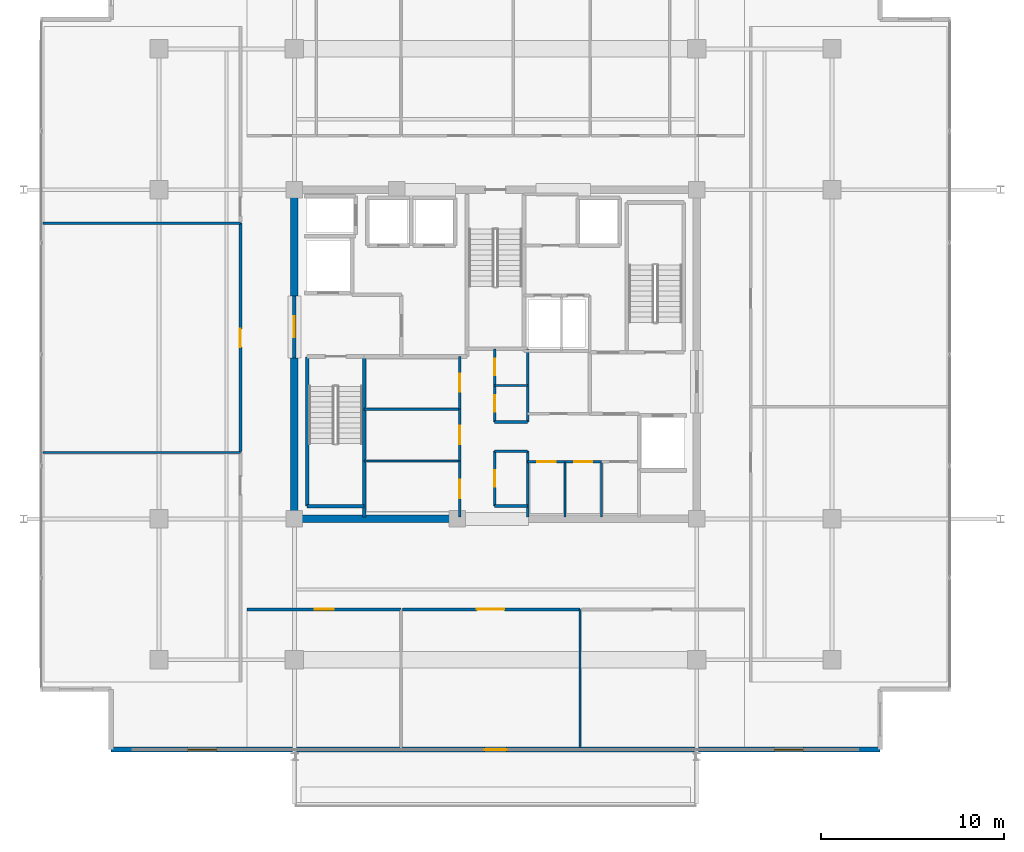
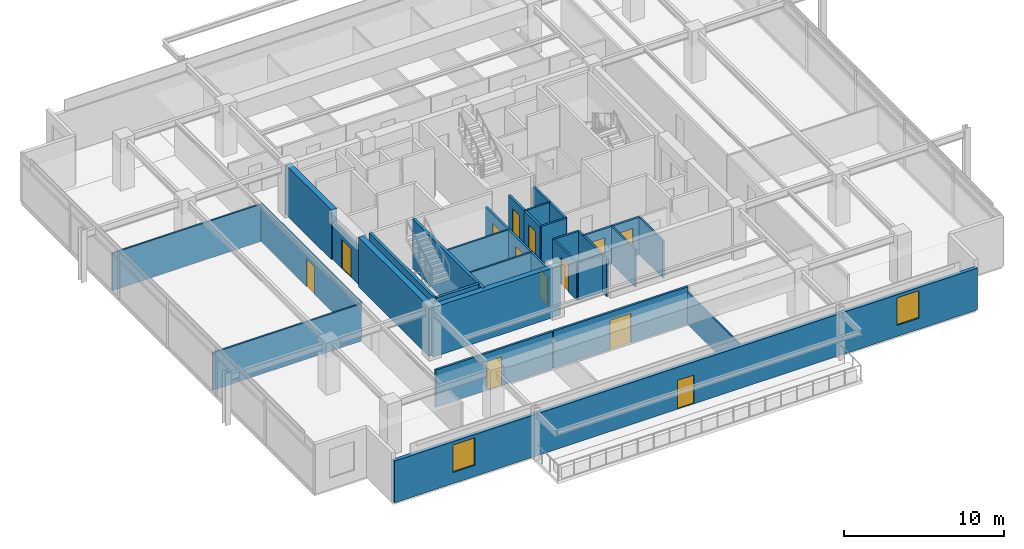
# One storey, part 13 of 20: 32 walls, 13 doors, 2 windows, 15 openings.
"""IFC4 building model written with IfcOpenShell, lengths in metres."""

from ifc_helpers import new_model, si_unit, direction, frame, frame_2d, origin, place, context, subcontext, project, spatial, rectangle, extrude, material, layer, layer_set, type_object, element, fill, save


model = new_model("IFC4")

# Units and contexts
model_context = context("Model", 3, precision=1e-05, world=origin(), true_north=direction((0.0, 1.0)))
body_context = subcontext(model_context, "Body", "Model", "MODEL_VIEW")
ifc_project = project(units=[si_unit("LENGTHUNIT", "METRE"), si_unit("AREAUNIT", "SQUARE_METRE"), si_unit("VOLUMEUNIT", "CUBIC_METRE"), si_unit("PLANEANGLEUNIT", "RADIAN"), si_unit("MASSUNIT", "GRAM", prefix="KILO")], contexts=[model_context])

# Site, building, storey
site_placement = place(None, origin())
site = spatial("IfcSite", under=ifc_project, at=site_placement, CompositionType="ELEMENT")
building_placement = place(site_placement, origin())
building = spatial("IfcBuilding", under=site, at=building_placement, Name="Kovane Verandah Tower", CompositionType="ELEMENT")
storey_placement = place(building_placement, frame((0.0, 0.0, 318.800048828125)))
storey = spatial("IfcBuildingStorey", under=building, at=storey_placement, Name="L74", CompositionType="ELEMENT", Elevation=318.800048828125)

# Walls
ifc_material_1 = material(Name="Fire-Rated Gypsum Stud Partition", Category="gypsum")
ifc_layer_1 = layer(ifc_material_1, 0.14990234375)
ifc_layer_set_1 = layer_set([ifc_layer_1], Name="Fire-Rated Gypsum Stud Partition")
wall_type_1 = type_object("IfcWallType", Name="WL-COR-150", PredefinedType="PARTITIONING", material=ifc_layer_set_1)
for number, where, z_axis, x_axis, name in (
    (1, (39.949951171875, 19.199951171875, 0.0), (0.0, 0.0, 1.0), (1.0, 0.0, 0.0), "L74 Central Core Strip South Wall"),
    (2, (39.949951171875, 22.199951171875, 0.0), (0.0, 0.0, 1.0), (1.0, 0.0, 0.0), "L74 Core Cross-Passage South Wall"),
    (3, (39.949951171875, 23.800048828125, 0.0), (0.0, 0.0, 1.0), (1.0, 0.0, 0.0), "L74 Core Cross-Passage North Wall"),
):
    element("IfcWall", number, at=place(storey_placement, frame(where, z_axis=z_axis, x_axis=x_axis)), inside=storey, type_object=wall_type_1, Name=name, PredefinedType="PARTITIONING", context=body_context, shape_type="SweptSolid", body=[
        extrude(rectangle(XDim=1.81005859375, YDim=0.14990234375, at=frame_2d((0.905029296875, 0.0))), origin(), (0.0, 0.0, 1.0), 2.849853515625),
    ])
wall_1_placement = place(storey_placement, frame((41.760009765625, 18.60009765625, 0.0), z_axis=(0.0, 0.0, 1.0), x_axis=(0.0, 1.0, 0.0)))
element("IfcWall", 4, at=wall_1_placement, inside=storey, type_object=wall_type_1, Name="L74 Central Core Strip Lower East Wall", PredefinedType="PARTITIONING", context=body_context, shape_type="SweptSolid", body=[
    extrude(rectangle(XDim=3.599853515625, YDim=0.14990234375, at=frame_2d((1.7998046875, 0.0))), origin(), (0.0, 0.0, 1.0), 2.849853515625),
])
wall_2_placement = place(storey_placement, frame((41.760009765625, 23.800048828125, 0.0), z_axis=(0.0, 0.0, 1.0), x_axis=(0.0, 1.0, 0.0)))
element("IfcWall", 5, at=wall_2_placement, inside=storey, type_object=wall_type_1, Name="L74 Central Core Strip Upper East Wall", PredefinedType="PARTITIONING", context=body_context, shape_type="SweptSolid", body=[
    extrude(rectangle(XDim=4.0, YDim=0.14990234375, at=frame_2d((2.0, 0.0))), origin(), (0.0, 0.0, 1.0), 2.849853515625),
])

# Wall, opening, door
wall_3_placement = place(storey_placement, frame((39.949951171875, 19.199951171875, 0.0), z_axis=(0.0, 0.0, 1.0), x_axis=(0.0, 1.0, 0.0)))
wall_3 = element("IfcWall", 6, at=wall_3_placement, inside=storey, type_object=wall_type_1, Name="L74 Male Toilet Partition", PredefinedType="PARTITIONING", context=body_context, shape_type="SweptSolid", body=[
    extrude(rectangle(XDim=3.0, YDim=0.14990234375, at=frame_2d((1.5, 0.0))), origin(), (0.0, 0.0, 1.0), 2.849853515625),
])
opening_1_placement = place(wall_3_placement, frame((1.050048828125, 0.0, 0.0)))
opening_1 = element("IfcOpeningElement", 7, at=opening_1_placement, cuts=wall_3, Name="Opening DR-L74-034", PredefinedType="OPENING", context=body_context, shape_type="SweptSolid", body=[
    extrude(rectangle(XDim=0.89990234375, YDim=2.10009765625, at=frame_2d((0.449951171875, 1.050048828125))), frame((0.0, 0.074951171875, 0.0), z_axis=(0.0, -1.0, 0.0), x_axis=(1.0, 0.0, 0.0)), (0.0, 0.0, 1.0), 0.14990234375),
])
ifc_material_2 = material(Name="Moisture-Resistant Laminate Washroom Door", Category="wood")
door_type_1 = type_object("IfcDoorType", Name="DR-WC-900", OperationType="SINGLE_SWING_LEFT", PredefinedType="DOOR", material=ifc_material_2)
door_1_placement = place(opening_1_placement, origin())
door_1 = element("IfcDoor", 8, at=door_1_placement, inside=storey, type_object=door_type_1, Name="L74 Male Toilet Door", OperationType="SINGLE_SWING_LEFT", OverallHeight=2.10009765625, OverallWidth=0.89990234375, PredefinedType="DOOR", context=body_context, shape_type="SweptSolid", body=[
    extrude(rectangle(XDim=0.89990234375, YDim=2.10009765625, at=frame_2d((0.449951171875, 1.050048828125))), frame((0.0, 0.02490234375, 0.0), z_axis=(0.0, -1.0, 0.0), x_axis=(1.0, 0.0, 0.0)), (0.0, 0.0, 1.0), 0.050048828125),
])
fill(opening_1, door_1)

wall_4_placement = place(storey_placement, frame((39.949951171875, 23.800048828125, 0.0), z_axis=(0.0, 0.0, 1.0), x_axis=(0.0, 1.0, 0.0)))
wall_4 = element("IfcWall", 9, at=wall_4_placement, inside=storey, type_object=wall_type_1, Name="L74 Female Toilet Partition", PredefinedType="PARTITIONING", context=body_context, shape_type="SweptSolid", body=[
    extrude(rectangle(XDim=2.0, YDim=0.14990234375, at=frame_2d((1.0, 0.0))), origin(), (0.0, 0.0, 1.0), 2.849853515625),
])
opening_2_placement = place(wall_4_placement, frame((0.550048828125, 0.0, 0.0)))
opening_2 = element("IfcOpeningElement", 10, at=opening_2_placement, cuts=wall_4, Name="Opening DR-L74-033", PredefinedType="OPENING", context=body_context, shape_type="SweptSolid", body=[
    extrude(rectangle(XDim=0.89990234375, YDim=2.10009765625, at=frame_2d((0.449951171875, 1.050048828125))), frame((0.0, 0.074951171875, 0.0), z_axis=(0.0, -1.0, 0.0), x_axis=(1.0, 0.0, 0.0)), (0.0, 0.0, 1.0), 0.14990234375),
])
door_2_placement = place(opening_2_placement, origin())
door_2 = element("IfcDoor", 11, at=door_2_placement, inside=storey, type_object=door_type_1, Name="L74 Female Toilet Door", OperationType="SINGLE_SWING_RIGHT", OverallHeight=2.10009765625, OverallWidth=0.89990234375, PredefinedType="DOOR", context=body_context, shape_type="SweptSolid", body=[
    extrude(rectangle(XDim=0.89990234375, YDim=2.10009765625, at=frame_2d((0.449951171875, 1.050048828125))), frame((0.0, 0.02490234375, 0.0), z_axis=(0.0, -1.0, 0.0), x_axis=(1.0, 0.0, 0.0)), (0.0, 0.0, 1.0), 0.050048828125),
])
fill(opening_2, door_2)

wall_5_placement = place(storey_placement, frame((39.949951171875, 25.800048828125, 0.0), z_axis=(0.0, 0.0, 1.0), x_axis=(0.0, 1.0, 0.0)))
wall_5 = element("IfcWall", 12, at=wall_5_placement, inside=storey, type_object=wall_type_1, Name="L74 Accessible Unisex Toilet Partition", PredefinedType="PARTITIONING", context=body_context, shape_type="SweptSolid", body=[
    extrude(rectangle(XDim=2.0, YDim=0.14990234375, at=frame_2d((1.0, 0.0))), origin(), (0.0, 0.0, 1.0), 2.849853515625),
])
opening_3_placement = place(wall_5_placement, frame((0.550048828125, 0.0, 0.0)))
opening_3 = element("IfcOpeningElement", 13, at=opening_3_placement, cuts=wall_5, Name="Opening DR-L74-032", PredefinedType="OPENING", context=body_context, shape_type="SweptSolid", body=[
    extrude(rectangle(XDim=0.89990234375, YDim=2.10009765625, at=frame_2d((0.449951171875, 1.050048828125))), frame((0.0, 0.074951171875, 0.0), z_axis=(0.0, -1.0, 0.0), x_axis=(1.0, 0.0, 0.0)), (0.0, 0.0, 1.0), 0.14990234375),
])
door_3_placement = place(opening_3_placement, origin())
door_3 = element("IfcDoor", 14, at=door_3_placement, inside=storey, type_object=door_type_1, Name="L74 Accessible Unisex Toilet Door", OperationType="SINGLE_SWING_LEFT", OverallHeight=2.10009765625, OverallWidth=0.89990234375, PredefinedType="DOOR", context=body_context, shape_type="SweptSolid", body=[
    extrude(rectangle(XDim=0.89990234375, YDim=2.10009765625, at=frame_2d((0.449951171875, 1.050048828125))), frame((0.0, 0.02490234375, 0.0), z_axis=(0.0, -1.0, 0.0), x_axis=(1.0, 0.0, 0.0)), (0.0, 0.0, 1.0), 0.050048828125),
])
fill(opening_3, door_3)

wall_6_placement = place(storey_placement, frame((38.050048828125, 18.60009765625, 0.0), z_axis=(0.0, 0.0, 1.0), x_axis=(0.0, 1.0, 0.0)))
wall_6 = element("IfcWall", 15, at=wall_6_placement, inside=storey, type_object=wall_type_1, Name="L74 Project Archive Room Partition", PredefinedType="PARTITIONING", context=body_context, shape_type="SweptSolid", body=[
    extrude(rectangle(XDim=3.059814453125, YDim=0.14990234375, at=frame_2d((1.52978515625, 0.0))), origin(), (0.0, 0.0, 1.0), 2.849853515625),
])
opening_4_placement = place(wall_6_placement, frame((1.030029296875, 0.0, 0.0)))
opening_4 = element("IfcOpeningElement", 16, at=opening_4_placement, cuts=wall_6, Name="Opening DR-L74-013", PredefinedType="OPENING", context=body_context, shape_type="SweptSolid", body=[
    extrude(rectangle(XDim=1.0, YDim=2.14990234375, at=frame_2d((0.5, 1.074951171875))), frame((0.0, 0.074951171875, 0.0), z_axis=(0.0, -1.0, 0.0), x_axis=(1.0, 0.0, 0.0)), (0.0, 0.0, 1.0), 0.14990234375),
])
ifc_material_3 = material(Name="FSC Spotted-Gum Timber Fire-Rated Office Door", Category="wood")
door_type_2 = type_object("IfcDoorType", Name="DR-OFF-1000", OperationType="SINGLE_SWING_LEFT", PredefinedType="DOOR", material=ifc_material_3)
door_4_placement = place(opening_4_placement, origin())
door_4 = element("IfcDoor", 17, at=door_4_placement, inside=storey, type_object=door_type_2, Name="L74 Project Archive Room Door", OperationType="SINGLE_SWING_RIGHT", OverallHeight=2.14990234375, OverallWidth=1.0, PredefinedType="DOOR", context=body_context, shape_type="SweptSolid", body=[
    extrude(rectangle(XDim=1.0, YDim=2.14990234375, at=frame_2d((0.5, 1.074951171875))), frame((0.0, 0.02490234375, 0.0), z_axis=(0.0, -1.0, 0.0), x_axis=(1.0, 0.0, 0.0)), (0.0, 0.0, 1.0), 0.050048828125),
])
fill(opening_4, door_4)

wall_7_placement = place(storey_placement, frame((38.050048828125, 21.659912109375, 0.0), z_axis=(0.0, 0.0, 1.0), x_axis=(0.0, 1.0, 0.0)))
wall_7 = element("IfcWall", 18, at=wall_7_placement, inside=storey, type_object=wall_type_1, Name="L74 First Aid and Wellness Room Partition", PredefinedType="PARTITIONING", context=body_context, shape_type="SweptSolid", body=[
    extrude(rectangle(XDim=2.840087890625, YDim=0.14990234375, at=frame_2d((1.419921875, 0.0))), origin(), (0.0, 0.0, 1.0), 2.849853515625),
])
opening_5_placement = place(wall_7_placement, frame((0.919921875, 0.0, 0.0)))
opening_5 = element("IfcOpeningElement", 19, at=opening_5_placement, cuts=wall_7, Name="Opening DR-L74-014", PredefinedType="OPENING", context=body_context, shape_type="SweptSolid", body=[
    extrude(rectangle(XDim=1.0, YDim=2.14990234375, at=frame_2d((0.5, 1.074951171875))), frame((0.0, 0.074951171875, 0.0), z_axis=(0.0, -1.0, 0.0), x_axis=(1.0, 0.0, 0.0)), (0.0, 0.0, 1.0), 0.14990234375),
])
door_5_placement = place(opening_5_placement, origin())
door_5 = element("IfcDoor", 20, at=door_5_placement, inside=storey, type_object=door_type_2, Name="L74 First Aid and Wellness Room Door", OperationType="SINGLE_SWING_LEFT", OverallHeight=2.14990234375, OverallWidth=1.0, PredefinedType="DOOR", context=body_context, shape_type="SweptSolid", body=[
    extrude(rectangle(XDim=1.0, YDim=2.14990234375, at=frame_2d((0.5, 1.074951171875))), frame((0.0, 0.02490234375, 0.0), z_axis=(0.0, -1.0, 0.0), x_axis=(1.0, 0.0, 0.0)), (0.0, 0.0, 1.0), 0.050048828125),
])
fill(opening_5, door_5)

wall_8_placement = place(storey_placement, frame((38.050048828125, 24.5, 0.0), z_axis=(0.0, 0.0, 1.0), x_axis=(0.0, 1.0, 0.0)))
wall_8 = element("IfcWall", 21, at=wall_8_placement, inside=storey, type_object=wall_type_1, Name="L74 Tea and Copy Hub Partition", PredefinedType="PARTITIONING", context=body_context, shape_type="SweptSolid", body=[
    extrude(rectangle(XDim=2.8798828125, YDim=0.14990234375, at=frame_2d((1.43994140625, 0.0))), origin(), (0.0, 0.0, 1.0), 2.849853515625),
])
opening_6_placement = place(wall_8_placement, frame((0.93994140625, 0.0, 0.0)))
opening_6 = element("IfcOpeningElement", 22, at=opening_6_placement, cuts=wall_8, Name="Opening DR-L74-015", PredefinedType="OPENING", context=body_context, shape_type="SweptSolid", body=[
    extrude(rectangle(XDim=1.0, YDim=2.14990234375, at=frame_2d((0.5, 1.074951171875))), frame((0.0, 0.074951171875, 0.0), z_axis=(0.0, -1.0, 0.0), x_axis=(1.0, 0.0, 0.0)), (0.0, 0.0, 1.0), 0.14990234375),
])
door_6_placement = place(opening_6_placement, origin())
door_6 = element("IfcDoor", 23, at=door_6_placement, inside=storey, type_object=door_type_2, Name="L74 Tea and Copy Hub Door", OperationType="SINGLE_SWING_RIGHT", OverallHeight=2.14990234375, OverallWidth=1.0, PredefinedType="DOOR", context=body_context, shape_type="SweptSolid", body=[
    extrude(rectangle(XDim=1.0, YDim=2.14990234375, at=frame_2d((0.5, 1.074951171875))), frame((0.0, 0.02490234375, 0.0), z_axis=(0.0, -1.0, 0.0), x_axis=(1.0, 0.0, 0.0)), (0.0, 0.0, 1.0), 0.050048828125),
])
fill(opening_6, door_6)

wall_9_placement = place(storey_placement, frame((41.760009765625, 21.6201171875, 0.0), z_axis=(0.0, 0.0, 1.0), x_axis=(1.0, 0.0, 0.0)))
wall_9 = element("IfcWall", 24, at=wall_9_placement, inside=storey, type_object=wall_type_1, Name="L74 Mail and Copy Room Partition", PredefinedType="PARTITIONING", context=body_context, shape_type="SweptSolid", body=[
    extrude(rectangle(XDim=2.0400390625, YDim=0.14990234375, at=frame_2d((1.02001953125, 0.0))), origin(), (0.0, 0.0, 1.0), 2.849853515625),
])
opening_7_placement = place(wall_9_placement, frame((0.52001953125, 0.0, 0.0)))
opening_7 = element("IfcOpeningElement", 25, at=opening_7_placement, cuts=wall_9, Name="Opening DR-L74-016", PredefinedType="OPENING", context=body_context, shape_type="SweptSolid", body=[
    extrude(rectangle(XDim=1.0, YDim=2.14990234375, at=frame_2d((0.5, 1.074951171875))), frame((0.0, 0.074951171875, 0.0), z_axis=(0.0, -1.0, 0.0), x_axis=(1.0, 0.0, 0.0)), (0.0, 0.0, 1.0), 0.14990234375),
])
door_7_placement = place(opening_7_placement, origin())
door_7 = element("IfcDoor", 26, at=door_7_placement, inside=storey, type_object=door_type_2, Name="L74 Mail and Copy Room Door", OperationType="SINGLE_SWING_LEFT", OverallHeight=2.14990234375, OverallWidth=1.0, PredefinedType="DOOR", context=body_context, shape_type="SweptSolid", body=[
    extrude(rectangle(XDim=1.0, YDim=2.14990234375, at=frame_2d((0.5, 1.074951171875))), frame((0.0, 0.02490234375, 0.0), z_axis=(0.0, -1.0, 0.0), x_axis=(1.0, 0.0, 0.0)), (0.0, 0.0, 1.0), 0.050048828125),
])
fill(opening_7, door_7)

wall_10_placement = place(storey_placement, frame((43.800048828125, 21.6201171875, 0.0), z_axis=(0.0, 0.0, 1.0), x_axis=(1.0, 0.0, 0.0)))
wall_10 = element("IfcWall", 27, at=wall_10_placement, inside=storey, type_object=wall_type_1, Name="L74 First Aid Room Partition", PredefinedType="PARTITIONING", context=body_context, shape_type="SweptSolid", body=[
    extrude(rectangle(XDim=2.0, YDim=0.14990234375, at=frame_2d((1.0, 0.0))), origin(), (0.0, 0.0, 1.0), 2.849853515625),
])
opening_8_placement = place(wall_10_placement, frame((0.5, 0.0, 0.0)))
opening_8 = element("IfcOpeningElement", 28, at=opening_8_placement, cuts=wall_10, Name="Opening DR-L74-017", PredefinedType="OPENING", context=body_context, shape_type="SweptSolid", body=[
    extrude(rectangle(XDim=1.0, YDim=2.14990234375, at=frame_2d((0.5, 1.074951171875))), frame((0.0, 0.074951171875, 0.0), z_axis=(0.0, -1.0, 0.0), x_axis=(1.0, 0.0, 0.0)), (0.0, 0.0, 1.0), 0.14990234375),
])
door_8_placement = place(opening_8_placement, origin())
door_8 = element("IfcDoor", 29, at=door_8_placement, inside=storey, type_object=door_type_2, Name="L74 First Aid Room Door", OperationType="SINGLE_SWING_RIGHT", OverallHeight=2.14990234375, OverallWidth=1.0, PredefinedType="DOOR", context=body_context, shape_type="SweptSolid", body=[
    extrude(rectangle(XDim=1.0, YDim=2.14990234375, at=frame_2d((0.5, 1.074951171875))), frame((0.0, 0.02490234375, 0.0), z_axis=(0.0, -1.0, 0.0), x_axis=(1.0, 0.0, 0.0)), (0.0, 0.0, 1.0), 0.050048828125),
])
fill(opening_8, door_8)

wall_11_placement = place(storey_placement, frame((26.39990234375, 13.550048828125, 0.0), z_axis=(0.0, 0.0, 1.0), x_axis=(1.0, 0.0, 0.0)))
wall_11 = element("IfcWall", 30, at=wall_11_placement, inside=storey, type_object=wall_type_1, Name="L74 Executive Office S1 Corridor Partition", PredefinedType="PARTITIONING", context=body_context, shape_type="SweptSolid", body=[
    extrude(rectangle(XDim=8.43212890625, YDim=0.14990234375, at=frame_2d((4.216064453125, 0.0))), origin(), (0.0, 0.0, 1.0), 2.849853515625),
])
opening_9_placement = place(wall_11_placement, frame((3.7060546875, 0.0, 0.0)))
opening_9 = element("IfcOpeningElement", 31, at=opening_9_placement, cuts=wall_11, Name="Opening DR-L74-029", PredefinedType="OPENING", context=body_context, shape_type="SweptSolid", body=[
    extrude(rectangle(XDim=1.050048828125, YDim=2.199951171875, at=frame_2d((0.52490234375, 1.10009765625))), frame((0.0, 0.074951171875, 0.0), z_axis=(0.0, -1.0, 0.0), x_axis=(1.0, 0.0, 0.0)), (0.0, 0.0, 1.0), 0.14990234375),
])
ifc_material_4 = material(Name="FSC Blackbutt Timber Fire-Rated Executive Door", Category="wood")
door_type_3 = type_object("IfcDoorType", Name="DR-EXEC-1050", OperationType="SINGLE_SWING_LEFT", PredefinedType="DOOR", material=ifc_material_4)
door_9_placement = place(opening_9_placement, origin())
door_9 = element("IfcDoor", 32, at=door_9_placement, inside=storey, type_object=door_type_3, Name="L74 Executive Office S1 Entrance Door", OperationType="SINGLE_SWING_RIGHT", OverallHeight=2.199951171875, OverallWidth=1.050048828125, PredefinedType="DOOR", context=body_context, shape_type="SweptSolid", body=[
    extrude(rectangle(XDim=1.050048828125, YDim=2.199951171875, at=frame_2d((0.52490234375, 1.10009765625))), frame((0.0, 0.02490234375, 0.0), z_axis=(0.0, -1.0, 0.0), x_axis=(1.0, 0.0, 0.0)), (0.0, 0.0, 1.0), 0.050048828125),
])
fill(opening_9, door_9)

wall_12_placement = place(storey_placement, frame((34.902099609375, 13.550048828125, 0.0), z_axis=(0.0, 0.0, 1.0), x_axis=(1.0, 0.0, 0.0)))
wall_12 = element("IfcWall", 33, at=wall_12_placement, inside=storey, type_object=wall_type_1, Name="L74 Client Boardroom S2 Corridor Partition", PredefinedType="PARTITIONING", context=body_context, shape_type="SweptSolid", body=[
    extrude(rectangle(XDim=9.721923828125, YDim=0.14990234375, at=frame_2d((4.86083984375, 0.0))), origin(), (0.0, 0.0, 1.0), 2.849853515625),
])
opening_10_placement = place(wall_12_placement, frame((4.075927734375, 0.0, 0.0)))
opening_10 = element("IfcOpeningElement", 34, at=opening_10_placement, cuts=wall_12, Name="Opening DR-L74-030", PredefinedType="OPENING", context=body_context, shape_type="SweptSolid", body=[
    extrude(rectangle(XDim=1.5, YDim=2.25, at=frame_2d((0.75, 1.125))), frame((0.0, 0.074951171875, 0.0), z_axis=(0.0, -1.0, 0.0), x_axis=(1.0, 0.0, 0.0)), (0.0, 0.0, 1.0), 0.14990234375),
])
ifc_material_5 = material(Name="Glazed Timber Fire-Rated Double Door", Category="wood")
door_type_4 = type_object("IfcDoorType", Name="DR-CONF-1500", OperationType="DOUBLE_DOOR_SINGLE_SWING", PredefinedType="DOOR", material=ifc_material_5)
door_10_placement = place(opening_10_placement, origin())
door_10 = element("IfcDoor", 35, at=door_10_placement, inside=storey, type_object=door_type_4, Name="L74 Client Boardroom S2 Entrance Door", OperationType="DOUBLE_DOOR_SINGLE_SWING", OverallHeight=2.25, OverallWidth=1.5, PredefinedType="DOOR", context=body_context, shape_type="SweptSolid", body=[
    extrude(rectangle(XDim=1.5, YDim=2.25, at=frame_2d((0.75, 1.125))), frame((0.0, 0.02490234375, 0.0), z_axis=(0.0, -1.0, 0.0), x_axis=(1.0, 0.0, 0.0)), (0.0, 0.0, 1.0), 0.050048828125),
])
fill(opening_10, door_10)

wall_13_placement = place(storey_placement, frame((26.050048828125, 22.1953125, 0.0), z_axis=(0.0, 0.0, 1.0), x_axis=(0.0, 1.0, 0.0)))
wall_13 = element("IfcWall", 36, at=wall_13_placement, inside=storey, type_object=wall_type_1, Name="L74 Breakout Pantry W2 Corridor Partition", PredefinedType="PARTITIONING", context=body_context, shape_type="SweptSolid", body=[
    extrude(rectangle(XDim=12.470947265625, YDim=0.14990234375, at=frame_2d((6.2353515625, 0.0))), origin(), (0.0, 0.0, 1.0), 2.849853515625),
])
opening_11_placement = place(wall_13_placement, frame((5.700439453125, 0.0, 0.0)))
opening_11 = element("IfcOpeningElement", 37, at=opening_11_placement, cuts=wall_13, Name="Opening DR-L74-036", PredefinedType="OPENING", context=body_context, shape_type="SweptSolid", body=[
    extrude(rectangle(XDim=1.0, YDim=2.14990234375, at=frame_2d((0.5, 1.074951171875))), frame((0.0, 0.074951171875, 0.0), z_axis=(0.0, -1.0, 0.0), x_axis=(1.0, 0.0, 0.0)), (0.0, 0.0, 1.0), 0.14990234375),
])
door_11_placement = place(opening_11_placement, origin())
door_11 = element("IfcDoor", 38, at=door_11_placement, inside=storey, type_object=door_type_2, Name="L74 Breakout Pantry W2 Entrance Door", OperationType="SINGLE_SWING_RIGHT", OverallHeight=2.14990234375, OverallWidth=1.0, PredefinedType="DOOR", context=body_context, shape_type="SweptSolid", body=[
    extrude(rectangle(XDim=1.0, YDim=2.14990234375, at=frame_2d((0.5, 1.074951171875))), frame((0.0, 0.02490234375, 0.0), z_axis=(0.0, -1.0, 0.0), x_axis=(1.0, 0.0, 0.0)), (0.0, 0.0, 1.0), 0.050048828125),
])
fill(opening_11, door_11)

# Walls
ifc_material_6 = material(Name="Concrete C60/75", Category="concrete")
ifc_layer_2 = layer(ifc_material_6, 0.39990234375)
ifc_layer_set_2 = layer_set([ifc_layer_2], Name="Concrete C60/75")
wall_type_2 = type_object("IfcWallType", Name="WL-CORE-400", PredefinedType="SHEAR", material=ifc_layer_set_2)
wall_14_placement = place(storey_placement, frame((29.0, 18.5, 0.0), z_axis=(0.0, 0.0, 1.0), x_axis=(1.0, 0.0, 0.0)))
element("IfcWall", 39, at=wall_14_placement, inside=storey, type_object=wall_type_2, Name="L74 Core Shear Wall CS-1", PredefinedType="SHEAR", context=body_context, shape_type="SweptSolid", body=[
    extrude(rectangle(XDim=9.199951171875, YDim=0.39990234375, at=frame_2d((4.60009765625, 0.0))), origin(), (0.0, 0.0, 1.0), 3.784912109375),
])
wall_15_placement = place(storey_placement, frame((29.0, 18.5, 0.0), z_axis=(0.0, 0.0, 1.0), x_axis=(0.0, 1.0, 0.0)))
element("IfcWall", 40, at=wall_15_placement, inside=storey, type_object=wall_type_2, Name="L74 Core Shear Wall CW-1", PredefinedType="SHEAR", context=body_context, shape_type="SweptSolid", body=[
    extrude(rectangle(XDim=8.800048828125, YDim=0.39990234375, at=frame_2d((4.39990234375, 0.0))), origin(), (0.0, 0.0, 1.0), 3.784912109375),
])
wall_16_placement = place(storey_placement, frame((29.0, 30.699951171875, 0.0), z_axis=(0.0, 0.0, 1.0), x_axis=(0.0, 1.0, 0.0)))
element("IfcWall", 41, at=wall_16_placement, inside=storey, type_object=wall_type_2, Name="L74 Core Shear Wall CW-2", PredefinedType="SHEAR", context=body_context, shape_type="SweptSolid", body=[
    extrude(rectangle(XDim=5.800048828125, YDim=0.39990234375, at=frame_2d((2.89990234375, 0.0))), origin(), (0.0, 0.0, 1.0), 3.784912109375),
])

# Wall, opening, door
ifc_material_7 = material(Name="Concrete C45/55 Fire Wall", Category="concrete")
ifc_layer_3 = layer(ifc_material_7, 0.199951171875)
ifc_layer_set_3 = layer_set([ifc_layer_3], Name="Concrete C45/55 Fire Wall")
wall_type_3 = type_object("IfcWallType", Name="WL-FFL-200", PredefinedType="PARTITIONING", material=ifc_layer_set_3)
wall_17_placement = place(storey_placement, frame((29.0, 27.300048828125, 0.0), z_axis=(0.0, 0.0, 1.0), x_axis=(0.0, 1.0, 0.0)))
wall_17 = element("IfcWall", 42, at=wall_17_placement, inside=storey, type_object=wall_type_3, Name="W-L74-FFLW-OUT", PredefinedType="PARTITIONING", context=body_context, shape_type="SweptSolid", body=[
    extrude(rectangle(XDim=3.39990234375, YDim=0.199951171875, at=frame_2d((1.699951171875, 0.0))), origin(), (0.0, 0.0, 1.0), 2.864990234375),
])
opening_12_placement = place(wall_17_placement, frame((1.125, 0.0, 0.0)))
opening_12 = element("IfcOpeningElement", 43, at=opening_12_placement, cuts=wall_17, Name="Opening DR-L74-007", PredefinedType="OPENING", context=body_context, shape_type="SweptSolid", body=[
    extrude(rectangle(XDim=1.14990234375, YDim=2.199951171875, at=frame_2d((0.574951171875, 1.10009765625))), frame((0.0, 0.10009765625, 0.0), z_axis=(0.0, -1.0, 0.0), x_axis=(1.0, 0.0, 0.0)), (0.0, 0.0, 1.0), 0.199951171875),
])
ifc_material_8 = material(Name="Smoke-Sealed Firefighting Lobby Door", Category="steel")
door_type_5 = type_object("IfcDoorType", Name="DR-FFL-1150", OperationType="SINGLE_SWING_LEFT", PredefinedType="DOOR", material=ifc_material_8)
door_12_placement = place(opening_12_placement, origin())
door_12 = element("IfcDoor", 44, at=door_12_placement, inside=storey, type_object=door_type_5, Name="L74 West Firefighting Lobby Corridor Door", OperationType="SINGLE_SWING_RIGHT", OverallHeight=2.199951171875, OverallWidth=1.14990234375, PredefinedType="DOOR", context=body_context, shape_type="SweptSolid", body=[
    extrude(rectangle(XDim=1.14990234375, YDim=2.199951171875, at=frame_2d((0.574951171875, 1.10009765625))), frame((0.0, 0.02490234375, 0.0), z_axis=(0.0, -1.0, 0.0), x_axis=(1.0, 0.0, 0.0)), (0.0, 0.0, 1.0), 0.050048828125),
])
fill(opening_12, door_12)

# Walls
ifc_material_9 = material(Name="Acoustic Fire-Rated Gypsum Partition", Category="gypsum")
ifc_layer_4 = layer(ifc_material_9, 0.1201171875)
ifc_layer_set_4 = layer_set([ifc_layer_4], Name="Acoustic Fire-Rated Gypsum Partition")
wall_type_4 = type_object("IfcWallType", Name="WL-PART-120", PredefinedType="PARTITIONING", material=ifc_layer_set_4)
wall_18_placement = place(storey_placement, frame((39.949951171875, 25.800048828125, 0.0), z_axis=(0.0, 0.0, 1.0), x_axis=(1.0, 0.0, 0.0)))
element("IfcWall", 45, at=wall_18_placement, inside=storey, type_object=wall_type_4, Name="L74 Central Core Strip Upper Dividing Partition", PredefinedType="PARTITIONING", context=body_context, shape_type="SweptSolid", body=[
    extrude(rectangle(XDim=1.81005859375, YDim=0.1201171875, at=frame_2d((0.905029296875, 0.0))), origin(), (0.0, 0.0, 1.0), 2.849853515625),
])
for number, where, z_axis, x_axis, name in (
    (46, (32.820068359375, 21.659912109375, 0.0), (0.0, 0.0, 1.0), (1.0, 0.0, 0.0), "L74 Core Support Lower Dividing Partition"),
    (47, (32.820068359375, 24.5, 0.0), (0.0, 0.0, 1.0), (1.0, 0.0, 0.0), "L74 Core Support Upper Dividing Partition"),
):
    element("IfcWall", number, at=place(storey_placement, frame(where, z_axis=z_axis, x_axis=x_axis)), inside=storey, type_object=wall_type_4, Name=name, PredefinedType="PARTITIONING", context=body_context, shape_type="SweptSolid", body=[
        extrude(rectangle(XDim=5.22998046875, YDim=0.1201171875, at=frame_2d((2.614990234375, 0.0))), origin(), (0.0, 0.0, 1.0), 2.849853515625),
    ])
for number, where, z_axis, x_axis, name in (
    (48, (43.800048828125, 18.60009765625, 0.0), (0.0, 0.0, 1.0), (0.0, 1.0, 0.0), "L74 East Core Support Dividing Partition 1"),
    (49, (45.800048828125, 18.60009765625, 0.0), (0.0, 0.0, 1.0), (0.0, 1.0, 0.0), "L74 East Core Support Dividing Partition 2"),
):
    element("IfcWall", number, at=place(storey_placement, frame(where, z_axis=z_axis, x_axis=x_axis)), inside=storey, type_object=wall_type_4, Name=name, PredefinedType="PARTITIONING", context=body_context, shape_type="SweptSolid", body=[
        extrude(rectangle(XDim=3.02001953125, YDim=0.1201171875, at=frame_2d((1.510009765625, 0.0))), origin(), (0.0, 0.0, 1.0), 2.849853515625),
    ])
wall_19_placement = place(storey_placement, frame((44.6240234375, 5.984375, 0.0), z_axis=(0.0, 0.0, 1.0), x_axis=(0.0, 1.0, 0.0)))
element("IfcWall", 50, at=wall_19_placement, inside=storey, type_object=wall_type_4, Name="L74 Client Boardroom S2 Dividing Partition", PredefinedType="PARTITIONING", context=body_context, shape_type="SweptSolid", body=[
    extrude(rectangle(XDim=7.565673828125, YDim=0.1201171875, at=frame_2d((3.78271484375, 0.0))), origin(), (0.0, 0.0, 1.0), 2.4150390625),
])
for number, where, z_axis, x_axis, name in (
    (51, (15.2685546875, 22.125244140625, 0.0), (0.0, 0.0, 1.0), (1.0, 0.0, 0.0), "L74 Focus Studio W1 Dividing Partition"),
    (52, (15.2685546875, 34.666259765625, 0.0), (0.0, 0.0, 1.0), (1.0, 0.0, 0.0), "L74 Breakout Pantry W2 Dividing Partition"),
):
    element("IfcWall", number, at=place(storey_placement, frame(where, z_axis=z_axis, x_axis=x_axis)), inside=storey, type_object=wall_type_4, Name=name, PredefinedType="PARTITIONING", context=body_context, shape_type="SweptSolid", body=[
        extrude(rectangle(XDim=10.781494140625, YDim=0.1201171875, at=frame_2d((5.390625, 0.0))), origin(), (0.0, 0.0, 1.0), 2.849853515625),
    ])
ifc_material_10 = material(Name="Concrete C45/55", Category="concrete")
ifc_layer_5 = layer(ifc_material_10, 0.199951171875)
ifc_layer_set_5 = layer_set([ifc_layer_5], Name="Concrete C45/55")
wall_type_5 = type_object("IfcWallType", Name="WL-SHAFT-200", PredefinedType="SOLIDWALL", material=ifc_layer_set_5)
wall_20_placement = place(storey_placement, frame((29.699951171875, 19.199951171875, 0.0), z_axis=(0.0, 0.0, 1.0), x_axis=(0.0, 1.0, 0.0)))
element("IfcWall", 53, at=wall_20_placement, inside=storey, type_object=wall_type_5, Name="W-L74-ST01-W", PredefinedType="SOLIDWALL", context=body_context, shape_type="SweptSolid", body=[
    extrude(rectangle(XDim=8.150146484375, YDim=0.199951171875, at=frame_2d((4.0751953125, 0.0))), origin(), (0.0, 0.0, 1.0), 3.784912109375),
])
wall_21_placement = place(storey_placement, frame((29.699951171875, 19.199951171875, 0.0), z_axis=(0.0, 0.0, 1.0), x_axis=(1.0, 0.0, 0.0)))
element("IfcWall", 54, at=wall_21_placement, inside=storey, type_object=wall_type_5, Name="W-L74-ST01-S", PredefinedType="SOLIDWALL", context=body_context, shape_type="SweptSolid", body=[
    extrude(rectangle(XDim=3.1201171875, YDim=0.199951171875, at=frame_2d((1.56005859375, 0.0))), origin(), (0.0, 0.0, 1.0), 3.784912109375),
])
wall_22_placement = place(storey_placement, frame((32.820068359375, 18.60009765625, 0.0), z_axis=(0.0, 0.0, 1.0), x_axis=(0.0, 1.0, 0.0)))
element("IfcWall", 55, at=wall_22_placement, inside=storey, type_object=wall_type_5, Name="W-L74-ST01-E", PredefinedType="SOLIDWALL", context=body_context, shape_type="SweptSolid", body=[
    extrude(rectangle(XDim=8.77978515625, YDim=0.199951171875, at=frame_2d((4.389892578125, 0.0))), origin(), (0.0, 0.0, 1.0), 3.784912109375),
])

# Wall, openings, door, windows
ifc_material_11 = material(Name="Concrete C45/55 Insulated Spandrel Wall", Category="concrete")
ifc_layer_6 = layer(ifc_material_11, 0.260009765625)
ifc_layer_set_6 = layer_set([ifc_layer_6], Name="Concrete C45/55 Insulated Spandrel Wall")
wall_type_6 = type_object("IfcWallType", Name="WL-SPANDREL-260", PredefinedType="PARAPET", material=ifc_layer_set_6)
wall_23_placement = place(storey_placement, frame((18.968505859375, 5.88427734375, 0.0), z_axis=(0.0, 0.0, 1.0), x_axis=(1.0, 0.0, 0.0)))
wall_23 = element("IfcWall", 56, at=wall_23_placement, inside=storey, type_object=wall_type_6, Name="L74 S Verandah Access Facade Wall", PredefinedType="PARAPET", context=body_context, shape_type="SweptSolid", body=[
    extrude(rectangle(XDim=42.06298828125, YDim=0.260009765625, at=frame_2d((21.031494140625, 0.0))), origin(), (0.0, 0.0, 1.0), 3.195556640625),
])
opening_13_placement = place(wall_23_placement, frame((4.199951171875, 0.0, 0.85009765625)))
opening_13 = element("IfcOpeningElement", 57, at=opening_13_placement, cuts=wall_23, Name="Opening W-02", PredefinedType="OPENING", context=body_context, shape_type="SweptSolid", body=[
    extrude(rectangle(XDim=1.60009765625, YDim=2.10009765625, at=frame_2d((0.800048828125, 1.050048828125))), frame((0.0, 0.1298828125, 0.0), z_axis=(0.0, -1.0, 0.0), x_axis=(1.0, 0.0, 0.0)), (0.0, 0.0, 1.0), 0.260009765625),
])
opening_14_placement = place(wall_23_placement, frame((20.431396484375, 0.0, 0.0)))
opening_14 = element("IfcOpeningElement", 58, at=opening_14_placement, cuts=wall_23, Name="Opening DR-L74-002", PredefinedType="OPENING", context=body_context, shape_type="SweptSolid", body=[
    extrude(rectangle(XDim=1.199951171875, YDim=2.199951171875, at=frame_2d((0.60009765625, 1.10009765625))), frame((0.0, 0.1298828125, 0.0), z_axis=(0.0, -1.0, 0.0), x_axis=(1.0, 0.0, 0.0)), (0.0, 0.0, 1.0), 0.260009765625),
])
opening_15_placement = place(wall_23_placement, frame((36.262939453125, 0.0, 0.85009765625)))
opening_15 = element("IfcOpeningElement", 59, at=opening_15_placement, cuts=wall_23, Name="Opening W-02", PredefinedType="OPENING", context=body_context, shape_type="SweptSolid", body=[
    extrude(rectangle(XDim=1.60009765625, YDim=2.10009765625, at=frame_2d((0.800048828125, 1.050048828125))), frame((0.0, 0.1298828125, 0.0), z_axis=(0.0, -1.0, 0.0), x_axis=(1.0, 0.0, 0.0)), (0.0, 0.0, 1.0), 0.260009765625),
])
ifc_material_12 = material(Name="Cyclone-Rated Glazed Balcony Leaf Door", Category="aluminium")
door_type_6 = type_object("IfcDoorType", Name="DR-BAL-1200x2200", OperationType="SINGLE_SWING_LEFT", PredefinedType="DOOR", material=ifc_material_12)
door_13_placement = place(opening_14_placement, origin())
door_13 = element("IfcDoor", 60, at=door_13_placement, inside=storey, type_object=door_type_6, Name="L74 S Planted Balcony Access Door", OperationType="SINGLE_SWING_LEFT", OverallHeight=2.199951171875, OverallWidth=1.199951171875, PredefinedType="DOOR", context=body_context, shape_type="SweptSolid", body=[
    extrude(rectangle(XDim=1.199951171875, YDim=2.199951171875, at=frame_2d((0.60009765625, 1.10009765625))), frame((0.0, 0.02490234375, 0.0), z_axis=(0.0, -1.0, 0.0), x_axis=(1.0, 0.0, 0.0)), (0.0, 0.0, 1.0), 0.050048828125),
])
fill(opening_14, door_13)
ifc_material_13 = material(Name="Clear Low-E Laminated Double Glazing in Anodised Frame", Category="glass")
window_type = type_object("IfcWindowType", Name="WN-OPER-1600x2100", PartitioningType="SINGLE_PANEL", PredefinedType="WINDOW", material=ifc_material_13)
window_1_placement = place(opening_13_placement, origin())
window_1 = element("IfcWindow", 61, at=window_1_placement, inside=storey, type_object=window_type, Name="L74 S Verandah View Window 1", OverallHeight=2.10009765625, OverallWidth=1.60009765625, PartitioningType="SINGLE_PANEL", PredefinedType="WINDOW", context=body_context, shape_type="SweptSolid", body=[
    extrude(rectangle(XDim=1.60009765625, YDim=2.10009765625, at=frame_2d((0.800048828125, 1.050048828125))), frame((0.0, 0.030029296875, 0.0), z_axis=(0.0, -1.0, 0.0), x_axis=(1.0, 0.0, 0.0)), (0.0, 0.0, 1.0), 0.06005859375),
])
fill(opening_13, window_1)
window_2_placement = place(opening_15_placement, origin())
window_2 = element("IfcWindow", 62, at=window_2_placement, inside=storey, type_object=window_type, Name="L74 S Verandah View Window 2", OverallHeight=2.10009765625, OverallWidth=1.60009765625, PartitioningType="SINGLE_PANEL", PredefinedType="WINDOW", context=body_context, shape_type="SweptSolid", body=[
    extrude(rectangle(XDim=1.60009765625, YDim=2.10009765625, at=frame_2d((0.800048828125, 1.050048828125))), frame((0.0, 0.030029296875, 0.0), z_axis=(0.0, -1.0, 0.0), x_axis=(1.0, 0.0, 0.0)), (0.0, 0.0, 1.0), 0.06005859375),
])
fill(opening_15, window_2)

save(model, "model.ifc")
